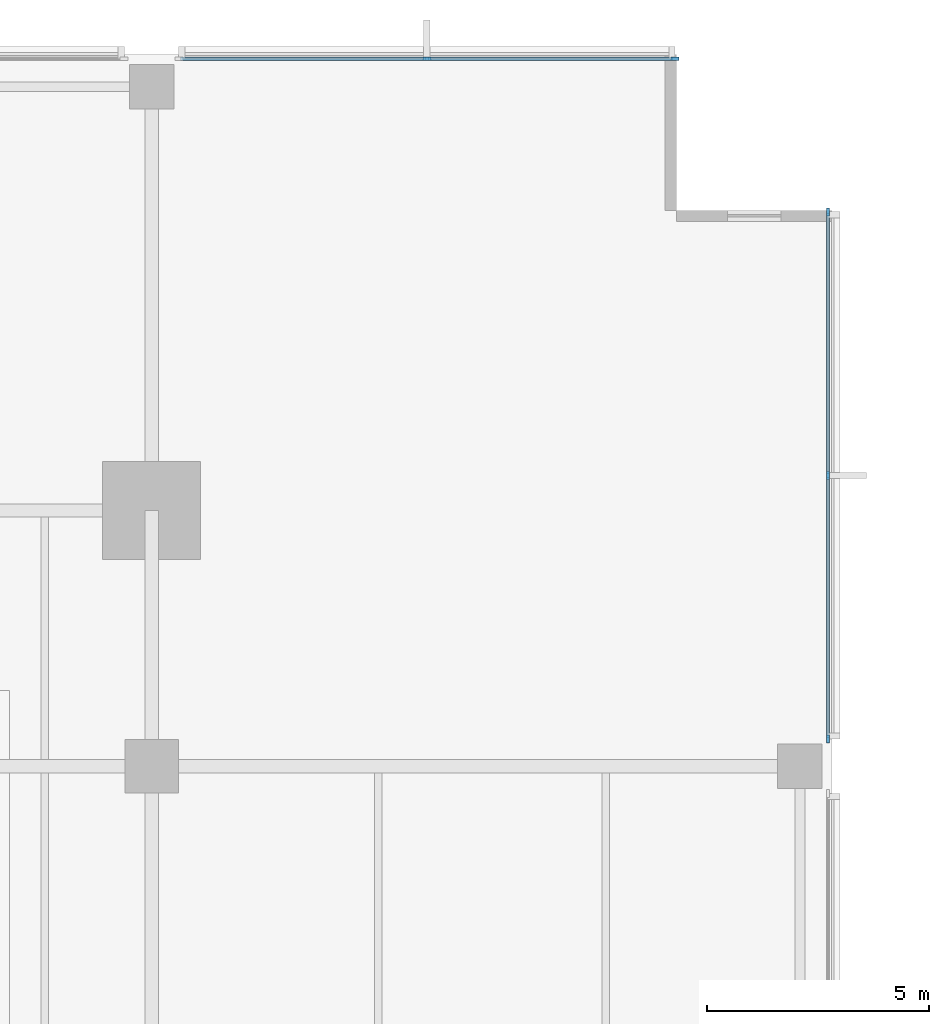
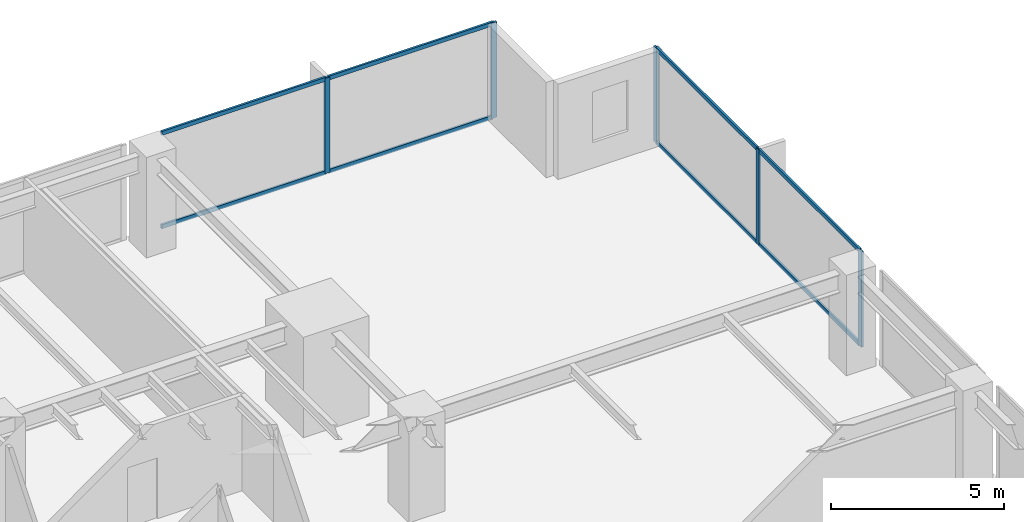
# One storey, part 6 of 15: 13 members, 2 elements without a shape of their own.
"""IFC4 building model written with IfcOpenShell, lengths in metres."""

from ifc_helpers import new_model, si_unit, direction, frame, origin, origin_2d, place, context, subcontext, project, spatial, rectangle, extrude, material, layer, layer_set, material_profile, profile_set, type_object, element, aggregate, save


model = new_model("IFC4")

# Units and contexts
model_context = context("Model", 3, precision=1e-05, world=origin(), true_north=direction((0.0, 1.0)))
body_context = subcontext(model_context, "Body", "Model", "MODEL_VIEW")
ifc_project = project(units=[si_unit("LENGTHUNIT", "METRE"), si_unit("AREAUNIT", "SQUARE_METRE"), si_unit("VOLUMEUNIT", "CUBIC_METRE"), si_unit("PLANEANGLEUNIT", "RADIAN"), si_unit("MASSUNIT", "GRAM", prefix="KILO")], contexts=[model_context])

# Site, building, storey
site_placement = place(None, origin())
site = spatial("IfcSite", under=ifc_project, at=site_placement, CompositionType="ELEMENT")
building_placement = place(site_placement, origin())
building = spatial("IfcBuilding", under=site, at=building_placement, Name="Kinhvarn Gate Tower", CompositionType="ELEMENT")
storey_placement = place(building_placement, frame((0.0, 0.0, 36.25)))
storey = spatial("IfcBuildingStorey", under=building, at=storey_placement, Name="L08", CompositionType="ELEMENT", Elevation=36.25)

# Curtain wall, members
ifc_material = material(Name="Anodised aluminium AW-6063", Category="aluminium")
ifc_layer = layer(ifc_material, 0.179931640625)
ifc_layer_set = layer_set([ifc_layer], Name="Anodised aluminium AW-6063")
curtain_wall_type = type_object("IfcCurtainWallType", Name="CW-SYS-2", PredefinedType="NOTDEFINED", material=ifc_layer_set)
curtain_wall_1_placement = place(storey_placement, origin())
curtain_wall_1 = element("IfcCurtainWall", 1, at=curtain_wall_1_placement, inside=storey, type_object=curtain_wall_type, Name="Curtain Wall CW2 (L08)", PredefinedType="NOTDEFINED")
ifc_material_profile_1 = material_profile(ifc_material, rectangle(XDim=0.070068359375, YDim=0.179931640625, at=origin_2d()), Name="ALU 70x180")
ifc_profile_set_1 = profile_set([ifc_material_profile_1], Name="Anodised aluminium AW-6063")
member_type_1 = type_object("IfcMemberType", Name="CW-MUL-180", PredefinedType="MULLION", material=ifc_profile_set_1)
member_1_placement = place(storey_placement, frame((49.965087890625, 47.909912109375, 0.0), z_axis=(0.0, 0.0, 1.0), x_axis=(0.0, -1.0, 0.0)))
member_1 = element("IfcMember", 2, at=member_1_placement, type_object=member_type_1, Name="CW2 mullion 1", PredefinedType="MULLION", context=body_context, shape_type="SweptSolid", body=[
    extrude(rectangle(XDim=0.070068359375, YDim=0.179931640625, at=origin_2d()), origin(), (0.0, 0.0, 1.0), 3.3701171875),
])
member_2_placement = place(storey_placement, frame((44.389892578125, 47.909912109375, 0.0), z_axis=(0.0, 0.0, 1.0), x_axis=(0.0, -1.0, 0.0)))
member_2 = element("IfcMember", 3, at=member_2_placement, type_object=member_type_1, Name="CW2 mullion 2", PredefinedType="MULLION", context=body_context, shape_type="SweptSolid", body=[
    extrude(rectangle(XDim=0.070068359375, YDim=0.179931640625, at=origin_2d()), origin(), (0.0, 0.0, 1.0), 3.3701171875),
])

curtain_wall_2_placement = place(storey_placement, origin())
curtain_wall_2 = element("IfcCurtainWall", 4, at=curtain_wall_2_placement, inside=storey, type_object=curtain_wall_type, Name="Curtain Wall CW2 (L08)", PredefinedType="NOTDEFINED")
member_3_placement = place(storey_placement, frame((53.409912109375, 32.614990234375, 0.0), z_axis=(0.0, 0.0, 1.0), x_axis=(-1.0, 0.0, 0.0)))
member_3 = element("IfcMember", 5, at=member_3_placement, type_object=member_type_1, Name="CW2 mullion 1", PredefinedType="MULLION", context=body_context, shape_type="SweptSolid", body=[
    extrude(rectangle(XDim=0.070068359375, YDim=0.179931640625, at=origin_2d()), origin(), (0.0, 0.0, 1.0), 3.3701171875),
])
member_4_placement = place(storey_placement, frame((53.409912109375, 38.5400390625, 0.0), z_axis=(0.0, 0.0, 1.0), x_axis=(-1.0, 0.0, 0.0)))
member_4 = element("IfcMember", 6, at=member_4_placement, type_object=member_type_1, Name="CW2 mullion 2", PredefinedType="MULLION", context=body_context, shape_type="SweptSolid", body=[
    extrude(rectangle(XDim=0.070068359375, YDim=0.179931640625, at=origin_2d()), origin(), (0.0, 0.0, 1.0), 3.3701171875),
])
member_5_placement = place(storey_placement, frame((53.409912109375, 44.465087890625, 0.0), z_axis=(0.0, 0.0, 1.0), x_axis=(-1.0, 0.0, 0.0)))
member_5 = element("IfcMember", 7, at=member_5_placement, type_object=member_type_1, Name="CW2 mullion 3", PredefinedType="MULLION", context=body_context, shape_type="SweptSolid", body=[
    extrude(rectangle(XDim=0.070068359375, YDim=0.179931640625, at=origin_2d()), origin(), (0.0, 0.0, 1.0), 3.3701171875),
])

# Member
ifc_material_profile_2 = material_profile(ifc_material, rectangle(XDim=0.070068359375, YDim=0.139892578125, at=origin_2d()), Name="ALU 70x140")
ifc_profile_set_2 = profile_set([ifc_material_profile_2], Name="Anodised aluminium AW-6063")
member_type_2 = type_object("IfcMemberType", Name="CW-TRN-140", PredefinedType="USERDEFINED", material=ifc_profile_set_2)
member_6_placement = place(storey_placement, frame((49.929931640625, 47.909912109375, 0.034912109375), z_axis=(-1.0, 0.0, 0.0), x_axis=(0.0, -1.0, 0.0)))
member_6 = element("IfcMember", 8, at=member_6_placement, type_object=member_type_2, Name="CW2 transom 1.1", ObjectType="TRANSOM", PredefinedType="USERDEFINED", context=body_context, shape_type="SweptSolid", body=[
    extrude(rectangle(XDim=0.070068359375, YDim=0.139892578125, at=origin_2d()), origin(), (0.0, 0.0, 1.0), 5.5048828125),
])

member_7_placement = place(storey_placement, frame((49.929931640625, 47.909912109375, 3.3349609375), z_axis=(-1.0, 0.0, 0.0), x_axis=(0.0, -1.0, 0.0)))
member_7 = element("IfcMember", 9, at=member_7_placement, type_object=member_type_2, Name="CW2 transom 1.2", ObjectType="TRANSOM", PredefinedType="USERDEFINED", context=body_context, shape_type="SweptSolid", body=[
    extrude(rectangle(XDim=0.070068359375, YDim=0.139892578125, at=origin_2d()), origin(), (0.0, 0.0, 1.0), 5.5048828125),
])

member_8_placement = place(storey_placement, frame((44.35498046875, 47.909912109375, 0.034912109375), z_axis=(-1.0, 0.0, 0.0), x_axis=(0.0, -1.0, 0.0)))
member_8 = element("IfcMember", 10, at=member_8_placement, type_object=member_type_2, Name="CW2 transom 2.1", ObjectType="TRANSOM", PredefinedType="USERDEFINED", context=body_context, shape_type="SweptSolid", body=[
    extrude(rectangle(XDim=0.070068359375, YDim=0.139892578125, at=origin_2d()), origin(), (0.0, 0.0, 1.0), 5.5048828125),
])

member_9_placement = place(storey_placement, frame((44.35498046875, 47.909912109375, 3.3349609375), z_axis=(-1.0, 0.0, 0.0), x_axis=(0.0, -1.0, 0.0)))
member_9 = element("IfcMember", 11, at=member_9_placement, type_object=member_type_2, Name="CW2 transom 2.2", ObjectType="TRANSOM", PredefinedType="USERDEFINED", context=body_context, shape_type="SweptSolid", body=[
    extrude(rectangle(XDim=0.070068359375, YDim=0.139892578125, at=origin_2d()), origin(), (0.0, 0.0, 1.0), 5.5048828125),
])

aggregate(curtain_wall_1, [member_1, member_2, member_6, member_7, member_8, member_9])

member_10_placement = place(storey_placement, frame((53.409912109375, 32.64990234375, 0.034912109375), z_axis=(0.0, 1.0, 0.0), x_axis=(-1.0, 0.0, 0.0)))
member_10 = element("IfcMember", 12, at=member_10_placement, type_object=member_type_2, Name="CW2 transom 1.1", ObjectType="TRANSOM", PredefinedType="USERDEFINED", context=body_context, shape_type="SweptSolid", body=[
    extrude(rectangle(XDim=0.070068359375, YDim=0.139892578125, at=origin_2d()), origin(), (0.0, 0.0, 1.0), 5.85498046875),
])

member_11_placement = place(storey_placement, frame((53.409912109375, 32.64990234375, 3.3349609375), z_axis=(0.0, 1.0, 0.0), x_axis=(-1.0, 0.0, 0.0)))
member_11 = element("IfcMember", 13, at=member_11_placement, type_object=member_type_2, Name="CW2 transom 1.2", ObjectType="TRANSOM", PredefinedType="USERDEFINED", context=body_context, shape_type="SweptSolid", body=[
    extrude(rectangle(XDim=0.070068359375, YDim=0.139892578125, at=origin_2d()), origin(), (0.0, 0.0, 1.0), 5.85498046875),
])

member_12_placement = place(storey_placement, frame((53.409912109375, 38.574951171875, 0.034912109375), z_axis=(0.0, 1.0, 0.0), x_axis=(-1.0, 0.0, 0.0)))
member_12 = element("IfcMember", 14, at=member_12_placement, type_object=member_type_2, Name="CW2 transom 2.1", ObjectType="TRANSOM", PredefinedType="USERDEFINED", context=body_context, shape_type="SweptSolid", body=[
    extrude(rectangle(XDim=0.070068359375, YDim=0.139892578125, at=origin_2d()), origin(), (0.0, 0.0, 1.0), 5.85498046875),
])

member_13_placement = place(storey_placement, frame((53.409912109375, 38.574951171875, 3.3349609375), z_axis=(0.0, 1.0, 0.0), x_axis=(-1.0, 0.0, 0.0)))
member_13 = element("IfcMember", 15, at=member_13_placement, type_object=member_type_2, Name="CW2 transom 2.2", ObjectType="TRANSOM", PredefinedType="USERDEFINED", context=body_context, shape_type="SweptSolid", body=[
    extrude(rectangle(XDim=0.070068359375, YDim=0.139892578125, at=origin_2d()), origin(), (0.0, 0.0, 1.0), 5.85498046875),
])

aggregate(curtain_wall_2, [member_3, member_4, member_5, member_10, member_11, member_12, member_13])

save(model, "model.ifc")
